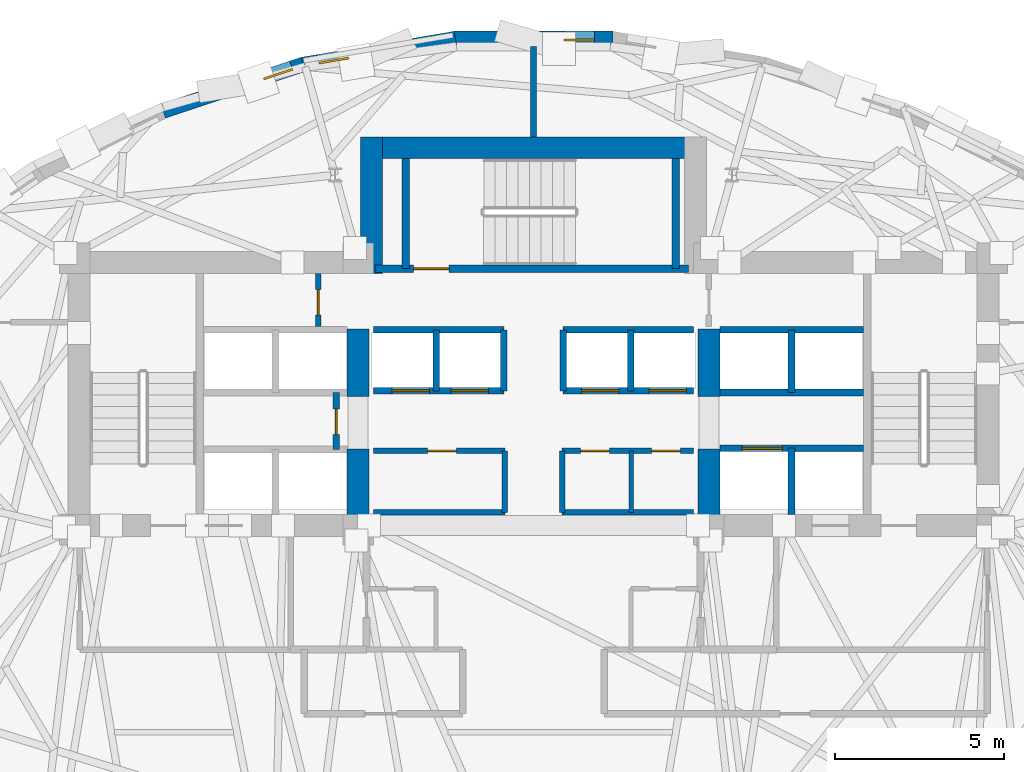
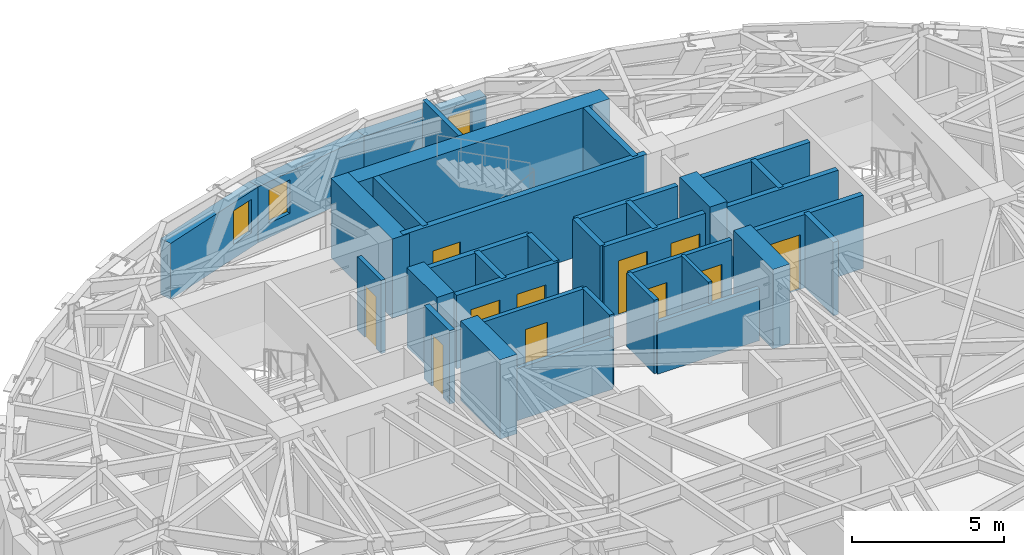
# One storey, part 7 of 12: 35 walls, 11 doors, 3 windows, 14 openings.
"""IFC4 building model written with IfcOpenShell, lengths in metres."""

from ifc_helpers import new_model, si_unit, direction, frame, frame_2d, origin, place, context, subcontext, project, spatial, rectangle, extrude, material, layer, layer_set, type_object, element, fill, save


model = new_model("IFC4")

# Units and contexts
model_context = context("Model", 3, precision=1e-05, world=origin(), true_north=direction((0.0, 1.0)))
body_context = subcontext(model_context, "Body", "Model", "MODEL_VIEW")
ifc_project = project(units=[si_unit("LENGTHUNIT", "METRE"), si_unit("AREAUNIT", "SQUARE_METRE"), si_unit("VOLUMEUNIT", "CUBIC_METRE"), si_unit("PLANEANGLEUNIT", "RADIAN"), si_unit("MASSUNIT", "GRAM", prefix="KILO")], contexts=[model_context])

# Site, building, storey
site_placement = place(None, origin())
site = spatial("IfcSite", under=ifc_project, at=site_placement, CompositionType="ELEMENT")
building_placement = place(site_placement, origin())
building = spatial("IfcBuilding", under=site, at=building_placement, Name="Keldmark Tower", CompositionType="ELEMENT")
storey_placement = place(building_placement, frame((0.0, 0.0, 198.199951171875)))
storey = spatial("IfcBuildingStorey", under=building, at=storey_placement, Name="L55", CompositionType="ELEMENT", Elevation=198.199951171875)

# Walls
ifc_material_1 = material(Name="Acoustic Gypsum Board Interior Partition", Category="gypsum")
ifc_layer_1 = layer(ifc_material_1, 0.1298828125)
ifc_layer_set_1 = layer_set([ifc_layer_1], Name="Acoustic Gypsum Board Interior Partition")
wall_type_1 = type_object("IfcWallType", Name="Interior Partition 130 mm", PredefinedType="PARTITIONING", material=ifc_layer_set_1)
wall_1_placement = place(storey_placement, frame((2.89990234375, 1.919921875, 0.0), z_axis=(0.0, 0.0, 1.0), x_axis=(0.0, 1.0, 0.0)))
element("IfcWall", 1, at=wall_1_placement, inside=storey, type_object=wall_type_1, Name="L55 Interior Partition 130 mm REC-LE-M", PredefinedType="PARTITIONING", context=body_context, shape_type="SweptSolid", body=[
    extrude(rectangle(XDim=1.820068359375, YDim=0.1298828125, at=frame_2d((0.91015625, 0.0))), origin(), (0.0, 0.0, 1.0), 2.9599609375),
])
ifc_material_2 = material(Name="Type X Fire-Rated Gypsum Partition Assembly", Category="gypsum")
ifc_layer_2 = layer(ifc_material_2, 0.1650390625)
ifc_layer_set_2 = layer_set([ifc_layer_2], Name="Type X Fire-Rated Gypsum Partition Assembly")
wall_type_2 = type_object("IfcWallType", Name="Rated Partition 165 mm", PredefinedType="PARTITIONING", material=ifc_layer_set_2)
wall_2_placement = place(storey_placement, frame((-4.739990234375, 1.919921875, 0.0), z_axis=(0.0, 0.0, 1.0), x_axis=(1.0, 0.0, 0.0)))
element("IfcWall", 2, at=wall_2_placement, inside=storey, type_object=wall_type_2, Name="L55 Rated Partition 165 mm REC-LW-S", PredefinedType="PARTITIONING", context=body_context, shape_type="SweptSolid", body=[
    extrude(rectangle(XDim=3.889892578125, YDim=0.1650390625, at=frame_2d((1.94482421875, 0.0))), origin(), (0.0, 0.0, 1.0), 2.10009765625),
])

# Wall, opening, door
wall_3_placement = place(storey_placement, frame((-4.739990234375, 3.739990234375, 0.0), z_axis=(0.0, 0.0, 1.0), x_axis=(1.0, 0.0, 0.0)))
wall_3 = element("IfcWall", 3, at=wall_3_placement, inside=storey, type_object=wall_type_2, Name="L55 Rated Partition 165 mm REC-LW-N", PredefinedType="PARTITIONING", context=body_context, shape_type="SweptSolid", body=[
    extrude(rectangle(XDim=3.889892578125, YDim=0.1650390625, at=frame_2d((1.94482421875, 0.0))), origin(), (0.0, 0.0, 1.0), 2.9599609375),
])
opening_1_placement = place(wall_3_placement, frame((1.60009765625, 0.0, 0.0)))
opening_1 = element("IfcOpeningElement", 4, at=opening_1_placement, cuts=wall_3, Name="Opening D-SV085", PredefinedType="OPENING", context=body_context, shape_type="SweptSolid", body=[
    extrude(rectangle(XDim=0.85009765625, YDim=2.10009765625, at=frame_2d((0.425048828125, 1.050048828125))), frame((0.0, 0.092529296875, 0.0), z_axis=(0.0, -1.0, 0.0), x_axis=(1.0, 0.0, 0.0)), (0.0, 0.0, 1.0), 0.18505859375),
])
ifc_material_3 = material(Name="Painted Hollow Metal Door Assembly", Category="metal")
door_type_1 = type_object("IfcDoorType", Name="Service Door 850x2100", OperationType="NOTDEFINED", PredefinedType="DOOR", material=ifc_material_3)
door_1_placement = place(opening_1_placement, origin())
door_1 = element("IfcDoor", 5, at=door_1_placement, inside=storey, type_object=door_type_1, Name="L55 Service Door 850x2100 D-RECLW1-L55", OperationType="SINGLE_SWING_LEFT", OverallHeight=2.10009765625, OverallWidth=0.85009765625, PredefinedType="DOOR", context=body_context, shape_type="SweptSolid", body=[
    extrude(rectangle(XDim=0.85009765625, YDim=2.10009765625, at=frame_2d((0.425048828125, 1.050048828125))), frame((0.0, 0.02490234375, 0.0), z_axis=(0.0, -1.0, 0.0), x_axis=(1.0, 0.0, 0.0)), (0.0, 0.0, 1.0), 0.050048828125),
])
fill(opening_1, door_1)

# Walls
wall_4_placement = place(storey_placement, frame((-0.85009765625, 1.919921875, 0.0), z_axis=(0.0, 0.0, 1.0), x_axis=(0.0, 1.0, 0.0)))
element("IfcWall", 6, at=wall_4_placement, inside=storey, type_object=wall_type_2, Name="L55 Rated Partition 165 mm REC-LW-E", PredefinedType="PARTITIONING", context=body_context, shape_type="SweptSolid", body=[
    extrude(rectangle(XDim=1.820068359375, YDim=0.1650390625, at=frame_2d((0.91015625, 0.0))), origin(), (0.0, 0.0, 1.0), 2.9599609375),
])
wall_5_placement = place(storey_placement, frame((0.85009765625, 1.919921875, 0.0), z_axis=(0.0, 0.0, 1.0), x_axis=(1.0, 0.0, 0.0)))
element("IfcWall", 7, at=wall_5_placement, inside=storey, type_object=wall_type_2, Name="L55 Rated Partition 165 mm REC-LE-S", PredefinedType="PARTITIONING", context=body_context, shape_type="SweptSolid", body=[
    extrude(rectangle(XDim=3.889892578125, YDim=0.1650390625, at=frame_2d((1.94482421875, 0.0))), origin(), (0.0, 0.0, 1.0), 2.10009765625),
])

# Wall, openings, doors
wall_6_placement = place(storey_placement, frame((0.85009765625, 3.739990234375, 0.0), z_axis=(0.0, 0.0, 1.0), x_axis=(1.0, 0.0, 0.0)))
wall_6 = element("IfcWall", 8, at=wall_6_placement, inside=storey, type_object=wall_type_2, Name="L55 Rated Partition 165 mm REC-LE-N", PredefinedType="PARTITIONING", context=body_context, shape_type="SweptSolid", body=[
    extrude(rectangle(XDim=3.889892578125, YDim=0.1650390625, at=frame_2d((1.94482421875, 0.0))), origin(), (0.0, 0.0, 1.0), 2.9599609375),
])
opening_2_placement = place(wall_6_placement, frame((0.550048828125, 0.0, 0.0)))
opening_2 = element("IfcOpeningElement", 9, at=opening_2_placement, cuts=wall_6, Name="Opening D-SV085", PredefinedType="OPENING", context=body_context, shape_type="SweptSolid", body=[
    extrude(rectangle(XDim=0.85009765625, YDim=2.10009765625, at=frame_2d((0.425048828125, 1.050048828125))), frame((0.0, 0.092529296875, 0.0), z_axis=(0.0, -1.0, 0.0), x_axis=(1.0, 0.0, 0.0)), (0.0, 0.0, 1.0), 0.18505859375),
])
opening_3_placement = place(wall_6_placement, frame((2.64990234375, 0.0, 0.0)))
opening_3 = element("IfcOpeningElement", 10, at=opening_3_placement, cuts=wall_6, Name="Opening D-SV085", PredefinedType="OPENING", context=body_context, shape_type="SweptSolid", body=[
    extrude(rectangle(XDim=0.85009765625, YDim=2.10009765625, at=frame_2d((0.425048828125, 1.050048828125))), frame((0.0, 0.092529296875, 0.0), z_axis=(0.0, -1.0, 0.0), x_axis=(1.0, 0.0, 0.0)), (0.0, 0.0, 1.0), 0.18505859375),
])
door_2_placement = place(opening_2_placement, origin())
door_2 = element("IfcDoor", 11, at=door_2_placement, inside=storey, type_object=door_type_1, Name="L55 Service Door 850x2100 D-RECLE1-L55", OperationType="SINGLE_SWING_LEFT", OverallHeight=2.10009765625, OverallWidth=0.85009765625, PredefinedType="DOOR", context=body_context, shape_type="SweptSolid", body=[
    extrude(rectangle(XDim=0.85009765625, YDim=2.10009765625, at=frame_2d((0.425048828125, 1.050048828125))), frame((0.0, 0.02490234375, 0.0), z_axis=(0.0, -1.0, 0.0), x_axis=(1.0, 0.0, 0.0)), (0.0, 0.0, 1.0), 0.050048828125),
])
fill(opening_2, door_2)
door_3_placement = place(opening_3_placement, origin())
door_3 = element("IfcDoor", 12, at=door_3_placement, inside=storey, type_object=door_type_1, Name="L55 Service Door 850x2100 D-RECLE2-L55", OperationType="SINGLE_SWING_RIGHT", OverallHeight=2.10009765625, OverallWidth=0.85009765625, PredefinedType="DOOR", context=body_context, shape_type="SweptSolid", body=[
    extrude(rectangle(XDim=0.85009765625, YDim=2.10009765625, at=frame_2d((0.425048828125, 1.050048828125))), frame((0.0, 0.02490234375, 0.0), z_axis=(0.0, -1.0, 0.0), x_axis=(1.0, 0.0, 0.0)), (0.0, 0.0, 1.0), 0.050048828125),
])
fill(opening_3, door_3)

# Wall
wall_7_placement = place(storey_placement, frame((0.85009765625, 1.919921875, 0.0), z_axis=(0.0, 0.0, 1.0), x_axis=(0.0, 1.0, 0.0)))
element("IfcWall", 13, at=wall_7_placement, inside=storey, type_object=wall_type_2, Name="L55 Rated Partition 165 mm REC-LE-W", PredefinedType="PARTITIONING", context=body_context, shape_type="SweptSolid", body=[
    extrude(rectangle(XDim=1.820068359375, YDim=0.1650390625, at=frame_2d((0.91015625, 0.0))), origin(), (0.0, 0.0, 1.0), 2.9599609375),
])

# Wall, opening, door
wall_8_placement = place(storey_placement, frame((-6.3798828125, 7.419921875, 0.0), z_axis=(0.0, 0.0, 1.0), x_axis=(0.0, 1.0, 0.0)))
wall_8 = element("IfcWall", 14, at=wall_8_placement, inside=storey, type_object=wall_type_2, Name="L55 Rated Partition 165 mm CS-NW-E", PredefinedType="PARTITIONING", context=body_context, shape_type="SweptSolid", body=[
    extrude(rectangle(XDim=1.580078125, YDim=0.1650390625, at=frame_2d((0.7900390625, 0.0))), origin(), (0.0, 0.0, 1.0), 2.9599609375),
])
opening_4_placement = place(wall_8_placement, frame((0.35009765625, 0.0, 0.0)))
opening_4 = element("IfcOpeningElement", 15, at=opening_4_placement, cuts=wall_8, Name="Opening D-RS075", PredefinedType="OPENING", context=body_context, shape_type="SweptSolid", body=[
    extrude(rectangle(XDim=0.75, YDim=2.10009765625, at=frame_2d((0.375, 1.050048828125))), frame((0.0, 0.092529296875, 0.0), z_axis=(0.0, -1.0, 0.0), x_axis=(1.0, 0.0, 0.0)), (0.0, 0.0, 1.0), 0.18505859375),
])
ifc_material_4 = material(Name="Galvanized Fire-Rated Access Leaf", Category="metal")
door_type_2 = type_object("IfcDoorType", Name="Riser Access Door 750x2100", OperationType="NOTDEFINED", PredefinedType="DOOR", material=ifc_material_4)
door_4_placement = place(opening_4_placement, origin())
door_4 = element("IfcDoor", 16, at=door_4_placement, inside=storey, type_object=door_type_2, Name="L55 Riser Access Door 750x2100 D-CSNW1-L55", OperationType="SINGLE_SWING_RIGHT", OverallHeight=2.10009765625, OverallWidth=0.75, PredefinedType="DOOR", context=body_context, shape_type="SweptSolid", body=[
    extrude(rectangle(XDim=0.75, YDim=2.10009765625, at=frame_2d((0.375, 1.050048828125))), frame((0.0, 0.02490234375, 0.0), z_axis=(0.0, -1.0, 0.0), x_axis=(1.0, 0.0, 0.0)), (0.0, 0.0, 1.0), 0.050048828125),
])
fill(opening_4, door_4)

# Wall
wall_9_placement = place(storey_placement, frame((0.0, 13.050048828125, 0.0), z_axis=(0.0, 0.0, 1.0), x_axis=(0.0, 1.0, 0.0)))
element("IfcWall", 17, at=wall_9_placement, inside=storey, type_object=wall_type_2, Name="L55 Rated Partition 165 mm HN-DIV", PredefinedType="PARTITIONING", context=body_context, shape_type="SweptSolid", body=[
    extrude(rectangle(XDim=2.68115234375, YDim=0.1650390625, at=frame_2d((1.340576171875, 0.0))), origin(), (0.0, 0.0, 1.0), 2.9599609375),
])

# Wall, opening, door
ifc_material_5 = material(Name="Fire-Resistant Type X Gypsum Shaftliner Coreboard", Category="gypsum")
ifc_layer_3 = layer(ifc_material_5, 0.199951171875)
ifc_layer_set_3 = layer_set([ifc_layer_3], Name="Fire-Resistant Type X Gypsum Shaftliner Coreboard")
wall_type_3 = type_object("IfcWallType", Name="Shaft Wall 200 mm", PredefinedType="SOLIDWALL", material=ifc_layer_set_3)
wall_10_placement = place(storey_placement, frame((-5.85009765625, 3.780029296875, 0.0), z_axis=(0.0, 0.0, 1.0), x_axis=(0.0, 1.0, 0.0)))
wall_10 = element("IfcWall", 18, at=wall_10_placement, inside=storey, type_object=wall_type_3, Name="L55 Shaft Wall 200 mm HW-W-CLOSE", PredefinedType="SOLIDWALL", context=body_context, shape_type="SweptSolid", body=[
    extrude(rectangle(XDim=1.68994140625, YDim=0.199951171875, at=frame_2d((0.844970703125, 0.0))), origin(), (0.0, 0.0, 1.0), 2.9599609375),
])
opening_5_placement = place(wall_10_placement, frame((0.449951171875, 0.0, 0.0)))
opening_5 = element("IfcOpeningElement", 19, at=opening_5_placement, cuts=wall_10, Name="Opening D-RS075", PredefinedType="OPENING", context=body_context, shape_type="SweptSolid", body=[
    extrude(rectangle(XDim=0.75, YDim=2.10009765625, at=frame_2d((0.375, 1.050048828125))), frame((0.0, 0.10986328125, 0.0), z_axis=(0.0, -1.0, 0.0), x_axis=(1.0, 0.0, 0.0)), (0.0, 0.0, 1.0), 0.219970703125),
])
door_5_placement = place(opening_5_placement, origin())
door_5 = element("IfcDoor", 20, at=door_5_placement, inside=storey, type_object=door_type_2, Name="L55 Riser Access Door 750x2100 D-RISHW-L55", OperationType="SINGLE_SWING_RIGHT", OverallHeight=2.10009765625, OverallWidth=0.75, PredefinedType="DOOR", context=body_context, shape_type="SweptSolid", body=[
    extrude(rectangle(XDim=0.75, YDim=2.10009765625, at=frame_2d((0.375, 1.050048828125))), frame((0.0, 0.02490234375, 0.0), z_axis=(0.0, -1.0, 0.0), x_axis=(1.0, 0.0, 0.0)), (0.0, 0.0, 1.0), 0.050048828125),
])
fill(opening_5, door_5)

wall_11_placement = place(storey_placement, frame((5.52490234375, 3.820068359375, 0.0), z_axis=(0.0, 0.0, 1.0), x_axis=(1.0, 0.0, 0.0)))
wall_11 = element("IfcWall", 21, at=wall_11_placement, inside=storey, type_object=wall_type_3, Name="L55 Shaft Wall 200 mm HW-E-S", PredefinedType="SOLIDWALL", context=body_context, shape_type="SweptSolid", body=[
    extrude(rectangle(XDim=4.255126953125, YDim=0.199951171875, at=frame_2d((2.12744140625, 0.0))), origin(), (0.0, 0.0, 1.0), 2.9599609375),
])
opening_6_placement = place(wall_11_placement, frame((0.64990234375, 0.0, 0.0)))
opening_6 = element("IfcOpeningElement", 22, at=opening_6_placement, cuts=wall_11, Name="Opening LD-120", PredefinedType="OPENING", context=body_context, shape_type="SweptSolid", body=[
    extrude(rectangle(XDim=1.199951171875, YDim=2.199951171875, at=frame_2d((0.60009765625, 1.10009765625))), frame((0.0, 0.10986328125, 0.0), z_axis=(0.0, -1.0, 0.0), x_axis=(1.0, 0.0, 0.0)), (0.0, 0.0, 1.0), 0.219970703125),
])
ifc_material_6 = material(Name="Heavy-Duty Brushed Metal Hoistway Sliding Leaf", Category="metal")
door_type_3 = type_object("IfcDoorType", Name="Service Lift Sliding Door 1200x2200", OperationType="SLIDING_TO_RIGHT", PredefinedType="DOOR", material=ifc_material_6)
door_6_placement = place(opening_6_placement, origin())
door_6 = element("IfcDoor", 23, at=door_6_placement, inside=storey, type_object=door_type_3, Name="L55 Service Lift Sliding Door 1200x2200 LD-EL-SV1-L55", OperationType="SLIDING_TO_RIGHT", OverallHeight=2.199951171875, OverallWidth=1.199951171875, PredefinedType="DOOR", context=body_context, shape_type="SweptSolid", body=[
    extrude(rectangle(XDim=1.199951171875, YDim=2.199951171875, at=frame_2d((0.60009765625, 1.10009765625))), frame((0.0, 0.02490234375, 0.0), z_axis=(0.0, -1.0, 0.0), x_axis=(1.0, 0.0, 0.0)), (0.0, 0.0, 1.0), 0.050048828125),
])
fill(opening_6, door_6)

# Walls
wall_12_placement = place(storey_placement, frame((7.64990234375, 1.85009765625, 0.0), z_axis=(0.0, 0.0, 1.0), x_axis=(0.0, 1.0, 0.0)))
element("IfcWall", 24, at=wall_12_placement, inside=storey, type_object=wall_type_3, Name="L55 Shaft Wall 200 mm HW-E-M", PredefinedType="SOLIDWALL", context=body_context, shape_type="SweptSolid", body=[
    extrude(rectangle(XDim=1.969970703125, YDim=0.199951171875, at=frame_2d((0.98486328125, 0.0))), origin(), (0.0, 0.0, 1.0), 2.9599609375),
])
for number, where, z_axis, x_axis, name in (
    (25, (5.52490234375, 5.469970703125, 0.0), (0.0, 0.0, 1.0), (1.0, 0.0, 0.0), "L55 Shaft Wall 200 mm HW-E-N"),
    (26, (5.52490234375, 7.330078125, 0.0), (0.0, 0.0, 1.0), (1.0, 0.0, 0.0), "L55 Shaft Wall 200 mm HW-E-TOP"),
):
    element("IfcWall", number, at=place(storey_placement, frame(where, z_axis=z_axis, x_axis=x_axis)), inside=storey, type_object=wall_type_3, Name=name, PredefinedType="SOLIDWALL", context=body_context, shape_type="SweptSolid", body=[
        extrude(rectangle(XDim=4.255126953125, YDim=0.199951171875, at=frame_2d((2.12744140625, 0.0))), origin(), (0.0, 0.0, 1.0), 2.9599609375),
    ])
wall_13_placement = place(storey_placement, frame((7.64990234375, 5.469970703125, 0.0), z_axis=(0.0, 0.0, 1.0), x_axis=(0.0, 1.0, 0.0)))
element("IfcWall", 27, at=wall_13_placement, inside=storey, type_object=wall_type_3, Name="L55 Shaft Wall 200 mm HW-E-NM", PredefinedType="SOLIDWALL", context=body_context, shape_type="SweptSolid", body=[
    extrude(rectangle(XDim=1.860107421875, YDim=0.199951171875, at=frame_2d((0.93017578125, 0.0))), origin(), (0.0, 0.0, 1.0), 2.9599609375),
])

# Wall, openings, doors
wall_14_placement = place(storey_placement, frame((-4.739990234375, 5.52001953125, 0.0), z_axis=(0.0, 0.0, 1.0), x_axis=(1.0, 0.0, 0.0)))
wall_14 = element("IfcWall", 28, at=wall_14_placement, inside=storey, type_object=wall_type_3, Name="L55 Shaft Wall 200 mm MID-S-W", PredefinedType="SOLIDWALL", context=body_context, shape_type="SweptSolid", body=[
    extrude(rectangle(XDim=3.860107421875, YDim=0.199951171875, at=frame_2d((1.93017578125, 0.0))), origin(), (0.0, 0.0, 1.0), 2.9599609375),
])
opening_7_placement = place(wall_14_placement, frame((0.550048828125, 0.0, 0.0)))
opening_7 = element("IfcOpeningElement", 29, at=opening_7_placement, cuts=wall_14, Name="Opening LD-110", PredefinedType="OPENING", context=body_context, shape_type="SweptSolid", body=[
    extrude(rectangle(XDim=1.10009765625, YDim=2.199951171875, at=frame_2d((0.550048828125, 1.10009765625))), frame((0.0, 0.10986328125, 0.0), z_axis=(0.0, -1.0, 0.0), x_axis=(1.0, 0.0, 0.0)), (0.0, 0.0, 1.0), 0.219970703125),
])
opening_8_placement = place(wall_14_placement, frame((2.300048828125, 0.0, 0.0)))
opening_8 = element("IfcOpeningElement", 30, at=opening_8_placement, cuts=wall_14, Name="Opening LD-110", PredefinedType="OPENING", context=body_context, shape_type="SweptSolid", body=[
    extrude(rectangle(XDim=1.10009765625, YDim=2.199951171875, at=frame_2d((0.550048828125, 1.10009765625))), frame((0.0, 0.10986328125, 0.0), z_axis=(0.0, -1.0, 0.0), x_axis=(1.0, 0.0, 0.0)), (0.0, 0.0, 1.0), 0.219970703125),
])
ifc_material_7 = material(Name="Brushed Bronze Hoistway Sliding Leaf", Category="metal")
door_type_4 = type_object("IfcDoorType", Name="Lift Landing Sliding Door 1100x2200", OperationType="SLIDING_TO_LEFT", PredefinedType="DOOR", material=ifc_material_7)
door_7_placement = place(opening_7_placement, origin())
door_7 = element("IfcDoor", 31, at=door_7_placement, inside=storey, type_object=door_type_4, Name="L55 Lift Landing Sliding Door 1100x2200 LD-EL-M1-L55", OperationType="SLIDING_TO_LEFT", OverallHeight=2.199951171875, OverallWidth=1.10009765625, PredefinedType="DOOR", context=body_context, shape_type="SweptSolid", body=[
    extrude(rectangle(XDim=1.10009765625, YDim=2.199951171875, at=frame_2d((0.550048828125, 1.10009765625))), frame((0.0, 0.02490234375, 0.0), z_axis=(0.0, -1.0, 0.0), x_axis=(1.0, 0.0, 0.0)), (0.0, 0.0, 1.0), 0.050048828125),
])
fill(opening_7, door_7)
door_8_placement = place(opening_8_placement, origin())
door_8 = element("IfcDoor", 32, at=door_8_placement, inside=storey, type_object=door_type_4, Name="L55 Lift Landing Sliding Door 1100x2200 LD-EL-M2-L55", OperationType="SLIDING_TO_LEFT", OverallHeight=2.199951171875, OverallWidth=1.10009765625, PredefinedType="DOOR", context=body_context, shape_type="SweptSolid", body=[
    extrude(rectangle(XDim=1.10009765625, YDim=2.199951171875, at=frame_2d((0.550048828125, 1.10009765625))), frame((0.0, 0.02490234375, 0.0), z_axis=(0.0, -1.0, 0.0), x_axis=(1.0, 0.0, 0.0)), (0.0, 0.0, 1.0), 0.050048828125),
])
fill(opening_8, door_8)

wall_15_placement = place(storey_placement, frame((0.8798828125, 5.52001953125, 0.0), z_axis=(0.0, 0.0, 1.0), x_axis=(1.0, 0.0, 0.0)))
wall_15 = element("IfcWall", 33, at=wall_15_placement, inside=storey, type_object=wall_type_3, Name="L55 Shaft Wall 200 mm MID-S-E", PredefinedType="SOLIDWALL", context=body_context, shape_type="SweptSolid", body=[
    extrude(rectangle(XDim=3.860107421875, YDim=0.199951171875, at=frame_2d((1.93017578125, 0.0))), origin(), (0.0, 0.0, 1.0), 2.9599609375),
])
opening_9_placement = place(wall_15_placement, frame((0.550048828125, 0.0, 0.0)))
opening_9 = element("IfcOpeningElement", 34, at=opening_9_placement, cuts=wall_15, Name="Opening LD-110", PredefinedType="OPENING", context=body_context, shape_type="SweptSolid", body=[
    extrude(rectangle(XDim=1.10009765625, YDim=2.199951171875, at=frame_2d((0.550048828125, 1.10009765625))), frame((0.0, 0.10986328125, 0.0), z_axis=(0.0, -1.0, 0.0), x_axis=(1.0, 0.0, 0.0)), (0.0, 0.0, 1.0), 0.219970703125),
])
opening_10_placement = place(wall_15_placement, frame((2.550048828125, 0.0, 0.0)))
opening_10 = element("IfcOpeningElement", 35, at=opening_10_placement, cuts=wall_15, Name="Opening LD-110", PredefinedType="OPENING", context=body_context, shape_type="SweptSolid", body=[
    extrude(rectangle(XDim=1.10009765625, YDim=2.199951171875, at=frame_2d((0.550048828125, 1.10009765625))), frame((0.0, 0.10986328125, 0.0), z_axis=(0.0, -1.0, 0.0), x_axis=(1.0, 0.0, 0.0)), (0.0, 0.0, 1.0), 0.219970703125),
])
door_9_placement = place(opening_9_placement, origin())
door_9 = element("IfcDoor", 36, at=door_9_placement, inside=storey, type_object=door_type_4, Name="L55 Lift Landing Sliding Door 1100x2200 LD-EL-M3-L55", OperationType="SLIDING_TO_LEFT", OverallHeight=2.199951171875, OverallWidth=1.10009765625, PredefinedType="DOOR", context=body_context, shape_type="SweptSolid", body=[
    extrude(rectangle(XDim=1.10009765625, YDim=2.199951171875, at=frame_2d((0.550048828125, 1.10009765625))), frame((0.0, 0.02490234375, 0.0), z_axis=(0.0, -1.0, 0.0), x_axis=(1.0, 0.0, 0.0)), (0.0, 0.0, 1.0), 0.050048828125),
])
fill(opening_9, door_9)
door_10_placement = place(opening_10_placement, origin())
door_10 = element("IfcDoor", 37, at=door_10_placement, inside=storey, type_object=door_type_4, Name="L55 Lift Landing Sliding Door 1100x2200 LD-EL-M4-L55", OperationType="SLIDING_TO_LEFT", OverallHeight=2.199951171875, OverallWidth=1.10009765625, PredefinedType="DOOR", context=body_context, shape_type="SweptSolid", body=[
    extrude(rectangle(XDim=1.10009765625, YDim=2.199951171875, at=frame_2d((0.550048828125, 1.10009765625))), frame((0.0, 0.02490234375, 0.0), z_axis=(0.0, -1.0, 0.0), x_axis=(1.0, 0.0, 0.0)), (0.0, 0.0, 1.0), 0.050048828125),
])
fill(opening_10, door_10)

# Walls
for number, where, z_axis, x_axis, name in (
    (38, (-4.739990234375, 7.330078125, 0.0), (0.0, 0.0, 1.0), (1.0, 0.0, 0.0), "L55 Shaft Wall 200 mm MID-N-W"),
    (39, (0.8798828125, 7.330078125, 0.0), (0.0, 0.0, 1.0), (1.0, 0.0, 0.0), "L55 Shaft Wall 200 mm MID-N-E"),
):
    element("IfcWall", number, at=place(storey_placement, frame(where, z_axis=z_axis, x_axis=x_axis)), inside=storey, type_object=wall_type_3, Name=name, PredefinedType="SOLIDWALL", context=body_context, shape_type="SweptSolid", body=[
        extrude(rectangle(XDim=3.860107421875, YDim=0.199951171875, at=frame_2d((1.93017578125, 0.0))), origin(), (0.0, 0.0, 1.0), 2.9599609375),
    ])
for number, where, z_axis, x_axis, name in (
    (40, (-2.8798828125, 5.52001953125, 0.0), (0.0, 0.0, 1.0), (0.0, 1.0, 0.0), "L55 Shaft Wall 200 mm MID-M-W"),
    (41, (2.8798828125, 5.52001953125, 0.0), (0.0, 0.0, 1.0), (0.0, 1.0, 0.0), "L55 Shaft Wall 200 mm MID-M-E"),
    (42, (-0.8798828125, 5.52001953125, 0.0), (0.0, 0.0, 1.0), (0.0, 1.0, 0.0), "L55 Shaft Wall 200 mm MID-C-W"),
    (43, (0.8798828125, 5.52001953125, 0.0), (0.0, 0.0, 1.0), (0.0, 1.0, 0.0), "L55 Shaft Wall 200 mm MID-C-E"),
):
    element("IfcWall", number, at=place(storey_placement, frame(where, z_axis=z_axis, x_axis=x_axis)), inside=storey, type_object=wall_type_3, Name=name, PredefinedType="SOLIDWALL", context=body_context, shape_type="SweptSolid", body=[
        extrude(rectangle(XDim=1.81005859375, YDim=0.199951171875, at=frame_2d((0.905029296875, 0.0))), origin(), (0.0, 0.0, 1.0), 2.9599609375),
    ])

# Wall, opening, door
ifc_material_8 = material(Name="Concrete C50/60", Category="concrete")
ifc_layer_4 = layer(ifc_material_8, 0.219970703125)
ifc_layer_set_4 = layer_set([ifc_layer_4], Name="Concrete C50/60")
wall_type_4 = type_object("IfcWallType", Name="Stair Core Shear Wall 220 mm", PredefinedType="SHEAR", material=ifc_layer_set_4)
wall_16_placement = place(storey_placement, frame((-4.699951171875, 9.139892578125, 0.0), z_axis=(0.0, 0.0, 1.0), x_axis=(1.0, 0.0, 0.0)))
wall_16 = element("IfcWall", 44, at=wall_16_placement, inside=storey, type_object=wall_type_4, Name="L55 Central Stair Core South Shear Wall", PredefinedType="SHEAR", context=body_context, shape_type="SweptSolid", body=[
    extrude(rectangle(XDim=9.300048828125, YDim=0.219970703125, at=frame_2d((4.64990234375, 0.0))), origin(), (0.0, 0.0, 1.0), 3.199951171875),
])
opening_11_placement = place(wall_16_placement, frame((1.14990234375, 0.0, 0.0)))
opening_11 = element("IfcOpeningElement", 45, at=opening_11_placement, cuts=wall_16, Name="Opening D-ST105", PredefinedType="OPENING", context=body_context, shape_type="SweptSolid", body=[
    extrude(rectangle(XDim=1.050048828125, YDim=2.14990234375, at=frame_2d((0.52490234375, 1.074951171875))), frame((0.0, 0.119873046875, 0.0), z_axis=(0.0, -1.0, 0.0), x_axis=(1.0, 0.0, 0.0)), (0.0, 0.0, 1.0), 0.239990234375),
])
ifc_material_9 = material(Name="Hollow Metal Fire-Rated Door Assembly", Category="metal")
door_type_5 = type_object("IfcDoorType", Name="Stair Fire Door 1050x2150", OperationType="NOTDEFINED", PredefinedType="DOOR", material=ifc_material_9)
door_11_placement = place(opening_11_placement, origin())
door_11 = element("IfcDoor", 46, at=door_11_placement, inside=storey, type_object=door_type_5, Name="L55 Stair Fire Door 1050x2150 D-ST3-L55", OperationType="SINGLE_SWING_RIGHT", OverallHeight=2.14990234375, OverallWidth=1.050048828125, PredefinedType="DOOR", context=body_context, shape_type="SweptSolid", body=[
    extrude(rectangle(XDim=1.050048828125, YDim=2.14990234375, at=frame_2d((0.52490234375, 1.074951171875))), frame((0.0, 0.02490234375, 0.0), z_axis=(0.0, -1.0, 0.0), x_axis=(1.0, 0.0, 0.0)), (0.0, 0.0, 1.0), 0.050048828125),
])
fill(opening_11, door_11)

# Walls
for number, where, z_axis, x_axis, name in (
    (47, (-3.784912109375, 9.139892578125, 0.0), (0.0, 0.0, 1.0), (0.0, 1.0, 0.0), "L55 Central Stair Core West Shear Wall"),
    (48, (4.215087890625, 9.139892578125, 0.0), (0.0, 0.0, 1.0), (0.0, 1.0, 0.0), "L55 Central Stair Core East Shear Wall"),
):
    element("IfcWall", number, at=place(storey_placement, frame(where, z_axis=z_axis, x_axis=x_axis)), inside=storey, type_object=wall_type_4, Name=name, PredefinedType="SHEAR", context=body_context, shape_type="SweptSolid", body=[
        extrude(rectangle(XDim=3.260009765625, YDim=0.219970703125, at=frame_2d((1.6298828125, 0.0))), origin(), (0.0, 0.0, 1.0), 3.199951171875),
    ])

# Wall, opening, window
ifc_material_10 = material(Name="Ironspot Manganese Brick and Kasota Buff Limestone Spandrel Assembly", Category="masonry")
ifc_layer_5 = layer(ifc_material_10, 0.43994140625)
ifc_layer_set_5 = layer_set([ifc_layer_5], Name="Ironspot Manganese Brick and Kasota Buff Limestone Spandrel Assembly")
wall_type_5 = type_object("IfcWallType", Name="Tower Brick Pier and Spandrel Wall 440 mm", PredefinedType="STANDARD", material=ifc_layer_set_5)
wall_17_placement = place(storey_placement, frame((-2.350341796875, 15.959228515625, 0.0), z_axis=(0.0, 0.0, 1.0), x_axis=(1.0, 0.0, 0.0)))
wall_17 = element("IfcWall", 49, at=wall_17_placement, inside=storey, type_object=wall_type_5, Name="L55 Exterior Brick and Spandrel Wall 08", PredefinedType="STANDARD", context=body_context, shape_type="SweptSolid", body=[
    extrude(rectangle(XDim=4.70068359375, YDim=0.43994140625, at=frame_2d((2.350341796875, 0.0))), origin(), (0.0, 0.0, 1.0), 2.255126953125),
])
opening_12_placement = place(wall_17_placement, frame((3.255859375, 0.0, 0.580078125)))
opening_12 = element("IfcOpeningElement", 50, at=opening_12_placement, cuts=wall_17, Name="Opening W-09", PredefinedType="OPENING", context=body_context, shape_type="SweptSolid", body=[
    extrude(rectangle(XDim=0.89990234375, YDim=1.35009765625, at=frame_2d((0.449951171875, 0.675048828125))), frame((0.0, 0.22998046875, 0.0), z_axis=(0.0, -1.0, 0.0), x_axis=(1.0, 0.0, 0.0)), (0.0, 0.0, 1.0), 0.4599609375),
])
ifc_material_11 = material(Name="Thermally Broken Anodized Aluminum and Triple Low-E Argon Glazing", Category="aluminium")
window_type = type_object("IfcWindowType", Name="Corner Pier Deep-Set Window 900x1350", PartitioningType="SINGLE_PANEL", PredefinedType="WINDOW", material=ifc_material_11)
window_1_placement = place(opening_12_placement, origin())
window_1 = element("IfcWindow", 51, at=window_1_placement, inside=storey, type_object=window_type, Name="L55 Deep-Set Window 08", OverallHeight=1.35009765625, OverallWidth=0.89990234375, PartitioningType="SINGLE_PANEL", PredefinedType="WINDOW", context=body_context, shape_type="SweptSolid", body=[
    extrude(rectangle(XDim=0.89990234375, YDim=1.35009765625, at=frame_2d((0.449951171875, 0.675048828125))), frame((0.0, -0.010009765625, 0.0), z_axis=(0.0, -1.0, 0.0), x_axis=(1.0, 0.0, 0.0)), (0.0, 0.0, 1.0), 0.06005859375),
])
fill(opening_12, window_1)

wall_18_placement = place(storey_placement, frame((-6.856689453125, 15.190185546875, 0.0), z_axis=(0.0, 0.0, 1.0), x_axis=(0.985860485502, 0.167568204398, 0.0)))
wall_18 = element("IfcWall", 52, at=wall_18_placement, inside=storey, type_object=wall_type_5, Name="L55 Exterior Brick and Spandrel Wall 09", PredefinedType="STANDARD", context=body_context, shape_type="SweptSolid", body=[
    extrude(rectangle(XDim=4.6083984375, YDim=0.43994140625, at=frame_2d((2.30419921875, 0.0))), origin(), (0.0, 0.0, 1.0), 2.255126953125),
])
opening_13_placement = place(wall_18_placement, frame((0.496337890625, 0.0, 0.580078125)))
opening_13 = element("IfcOpeningElement", 53, at=opening_13_placement, cuts=wall_18, Name="Opening W-09", PredefinedType="OPENING", context=body_context, shape_type="SweptSolid", body=[
    extrude(rectangle(XDim=0.89990234375, YDim=1.35009765625, at=frame_2d((0.449951171875, 0.675048828125))), frame((0.0, 0.22998046875, 0.0), z_axis=(0.0, -1.0, 0.0), x_axis=(1.0, 0.0, 0.0)), (0.0, 0.0, 1.0), 0.4599609375),
])
window_2_placement = place(opening_13_placement, origin())
window_2 = element("IfcWindow", 54, at=window_2_placement, inside=storey, type_object=window_type, Name="L55 Deep-Set Window 09", OverallHeight=1.35009765625, OverallWidth=0.89990234375, PartitioningType="SINGLE_PANEL", PredefinedType="WINDOW", context=body_context, shape_type="SweptSolid", body=[
    extrude(rectangle(XDim=0.89990234375, YDim=1.35009765625, at=frame_2d((0.449951171875, 0.675048828125))), frame((0.0, -0.010009765625, 0.0), z_axis=(0.0, -1.0, 0.0), x_axis=(1.0, 0.0, 0.0)), (0.0, 0.0, 1.0), 0.06005859375),
])
fill(opening_13, window_2)

wall_19_placement = place(storey_placement, frame((-10.985595703125, 13.813720703125, 0.0), z_axis=(0.0, 0.0, 1.0), x_axis=(0.94886128517, 0.315693302916, 0.0)))
wall_19 = element("IfcWall", 55, at=wall_19_placement, inside=storey, type_object=wall_type_5, Name="L55 Exterior Brick and Spandrel Wall 10", PredefinedType="STANDARD", context=body_context, shape_type="SweptSolid", body=[
    extrude(rectangle(XDim=4.3857421875, YDim=0.43994140625, at=frame_2d((2.19287109375, 0.0))), origin(), (0.0, 0.0, 1.0), 2.255126953125),
])
opening_14_placement = place(wall_19_placement, frame((3.136474609375, 0.0, 0.580078125)))
opening_14 = element("IfcOpeningElement", 56, at=opening_14_placement, cuts=wall_19, Name="Opening W-09", PredefinedType="OPENING", context=body_context, shape_type="SweptSolid", body=[
    extrude(rectangle(XDim=0.89990234375, YDim=1.35009765625, at=frame_2d((0.449951171875, 0.675048828125))), frame((0.0, 0.22998046875, 0.0), z_axis=(0.0, -1.0, 0.0), x_axis=(1.0, 0.0, 0.0)), (0.0, 0.0, 1.0), 0.4599609375),
])
window_3_placement = place(opening_14_placement, origin())
window_3 = element("IfcWindow", 57, at=window_3_placement, inside=storey, type_object=window_type, Name="L55 Deep-Set Window 10", OverallHeight=1.35009765625, OverallWidth=0.89990234375, PartitioningType="SINGLE_PANEL", PredefinedType="WINDOW", context=body_context, shape_type="SweptSolid", body=[
    extrude(rectangle(XDim=0.89990234375, YDim=1.35009765625, at=frame_2d((0.449951171875, 0.675048828125))), frame((0.0, -0.010009765625, 0.0), z_axis=(0.0, -1.0, 0.0), x_axis=(1.0, 0.0, 0.0)), (0.0, 0.0, 1.0), 0.06005859375),
])
fill(opening_14, window_3)

# Walls
ifc_material_12 = material(Name="Concrete C50/60", Category="concrete")
ifc_layer_6 = layer(ifc_material_12, 0.64990234375)
ifc_layer_set_6 = layer_set([ifc_layer_6], Name="Concrete C50/60")
wall_type_6 = type_object("IfcWallType", Name="Upper-Mid Core Shear Wall 650 mm", PredefinedType="SHEAR", material=ifc_layer_set_6)
wall_20_placement = place(storey_placement, frame((-5.199951171875, 1.199951171875, 0.0), z_axis=(0.0, 0.0, 1.0), x_axis=(0.0, 1.0, 0.0)))
element("IfcWall", 58, at=wall_20_placement, inside=storey, type_object=wall_type_6, Name="L55 West Core Inner Shear Pier South", PredefinedType="SHEAR", context=body_context, shape_type="SweptSolid", body=[
    extrude(rectangle(XDim=2.60009765625, YDim=0.64990234375, at=frame_2d((1.300048828125, 0.0))), origin(), (0.0, 0.0, 1.0), 3.199951171875),
])
wall_21_placement = place(storey_placement, frame((-5.199951171875, 5.35009765625, 0.0), z_axis=(0.0, 0.0, 1.0), x_axis=(0.0, 1.0, 0.0)))
element("IfcWall", 59, at=wall_21_placement, inside=storey, type_object=wall_type_6, Name="L55 West Core Inner Shear Pier North", PredefinedType="SHEAR", context=body_context, shape_type="SweptSolid", body=[
    extrude(rectangle(XDim=2.0, YDim=0.64990234375, at=frame_2d((1.0, 0.0))), origin(), (0.0, 0.0, 1.0), 3.199951171875),
])
wall_22_placement = place(storey_placement, frame((5.199951171875, 1.199951171875, 0.0), z_axis=(0.0, 0.0, 1.0), x_axis=(0.0, 1.0, 0.0)))
element("IfcWall", 60, at=wall_22_placement, inside=storey, type_object=wall_type_6, Name="L55 East Core Inner Shear Pier South", PredefinedType="SHEAR", context=body_context, shape_type="SweptSolid", body=[
    extrude(rectangle(XDim=2.60009765625, YDim=0.64990234375, at=frame_2d((1.300048828125, 0.0))), origin(), (0.0, 0.0, 1.0), 3.199951171875),
])
wall_23_placement = place(storey_placement, frame((5.199951171875, 5.35009765625, 0.0), z_axis=(0.0, 0.0, 1.0), x_axis=(0.0, 1.0, 0.0)))
element("IfcWall", 61, at=wall_23_placement, inside=storey, type_object=wall_type_6, Name="L55 East Core Inner Shear Pier North", PredefinedType="SHEAR", context=body_context, shape_type="SweptSolid", body=[
    extrude(rectangle(XDim=2.0, YDim=0.64990234375, at=frame_2d((1.0, 0.0))), origin(), (0.0, 0.0, 1.0), 3.199951171875),
])
wall_24_placement = place(storey_placement, frame((-5.125, 12.72509765625, 0.0), z_axis=(0.0, 0.0, 1.0), x_axis=(1.0, 0.0, 0.0)))
element("IfcWall", 62, at=wall_24_placement, inside=storey, type_object=wall_type_6, Name="L55 North Core Shear Wall", PredefinedType="SHEAR", context=body_context, shape_type="SweptSolid", body=[
    extrude(rectangle(XDim=10.25, YDim=0.64990234375, at=frame_2d((5.125, 0.0))), origin(), (0.0, 0.0, 1.0), 3.199951171875),
])
wall_25_placement = place(storey_placement, frame((-4.800048828125, 9.0, 0.0), z_axis=(0.0, 0.0, 1.0), x_axis=(0.0, 1.0, 0.0)))
element("IfcWall", 63, at=wall_25_placement, inside=storey, type_object=wall_type_6, Name="L55 North Core West Shear Wall", PredefinedType="SHEAR", context=body_context, shape_type="SweptSolid", body=[
    extrude(rectangle(XDim=4.050048828125, YDim=0.64990234375, at=frame_2d((2.02490234375, 0.0))), origin(), (0.0, 0.0, 1.0), 3.199951171875),
])

save(model, "model.ifc")
